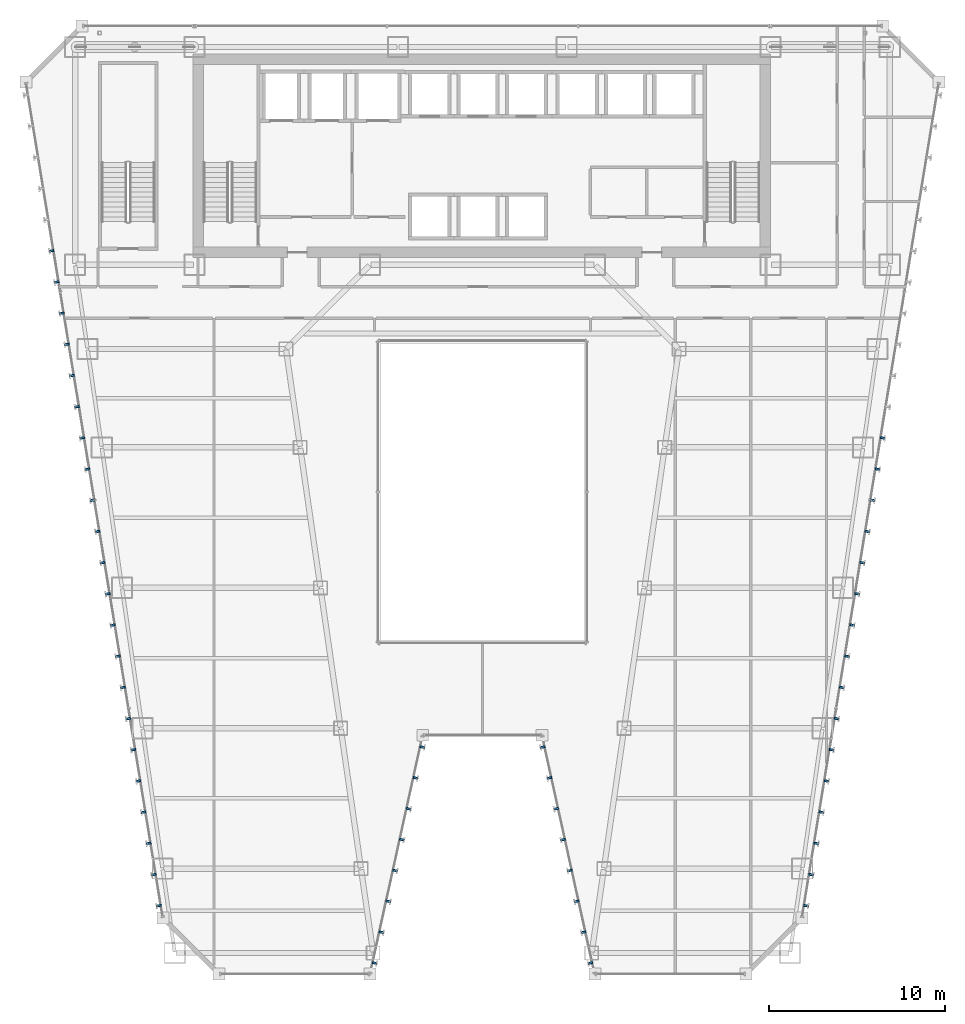
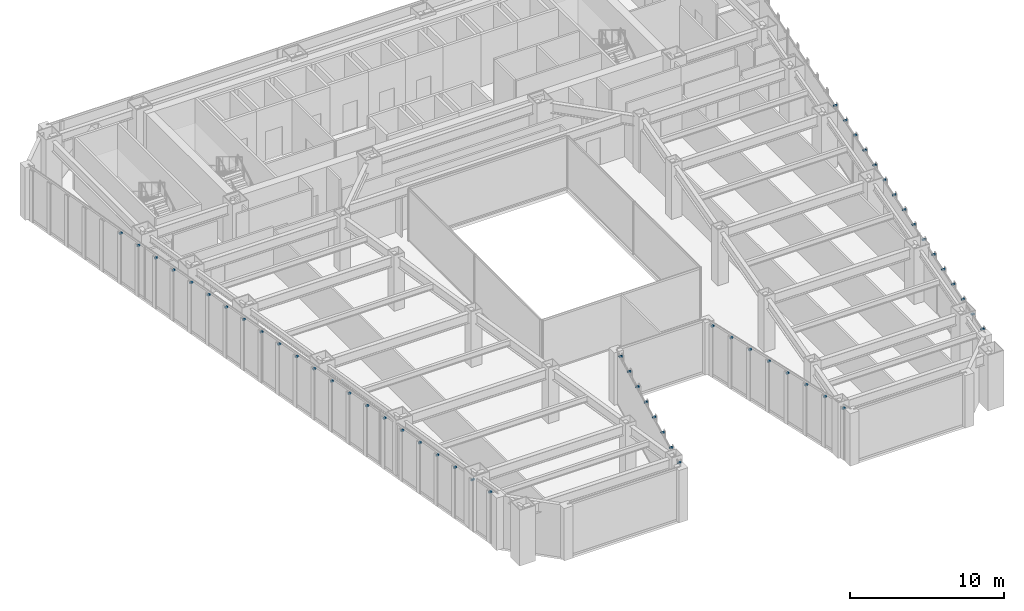
# One storey, part 39 of 47: 54 discrete accessories.
"""IFC4 building model written with IfcOpenShell, lengths in metres."""

from ifc_helpers import new_model, si_unit, direction, frame, origin, origin_2d, place, context, subcontext, project, spatial, rectangle, extrude, material, layer, layer_set, type_object, element, save


model = new_model("IFC4")

# Units and contexts
model_context = context("Model", 3, precision=1e-05, world=origin(), true_north=direction((0.0, 1.0)))
body_context = subcontext(model_context, "Body", "Model", "MODEL_VIEW")
ifc_project = project(units=[si_unit("LENGTHUNIT", "METRE"), si_unit("AREAUNIT", "SQUARE_METRE"), si_unit("VOLUMEUNIT", "CUBIC_METRE"), si_unit("PLANEANGLEUNIT", "RADIAN"), si_unit("MASSUNIT", "GRAM", prefix="KILO")], contexts=[model_context])

# Site, building, storey
site_placement = place(None, origin())
site = spatial("IfcSite", under=ifc_project, at=site_placement, CompositionType="ELEMENT")
building_placement = place(site_placement, origin())
building = spatial("IfcBuilding", under=site, at=building_placement, Name="Saevonmaru Cultural Tower", CompositionType="ELEMENT")
storey_placement = place(building_placement, frame((0.0, 0.0, 60.39990234375)))
storey = spatial("IfcBuildingStorey", under=building, at=storey_placement, Name="L12", CompositionType="ELEMENT", Elevation=60.39990234375)

# Discrete accessories
ifc_material = material(Name="Stainless Steel 316", Category="steel")
ifc_layer = layer(ifc_material, 0.1201171875, Name="Stainless Steel 316")
ifc_layer_set = layer_set([ifc_layer], Name="Stainless Steel 316")
discrete_accessory_type = type_object("IfcDiscreteAccessoryType", Name="ACC-FIN-BRKT", PredefinedType="BRACKET", material=ifc_layer_set)
for number, where, z_axis, x_axis, name in (
    (1, (23.850341796875, 2.624267578125, 3.929931640625), (0.0, 0.0, 1.0), (0.976522126798, -0.215417120661, 0.0), "L12 Bronze Fin Bracket E3-01"),
    (2, (24.238037109375, 4.3818359375, 3.929931640625), (0.0, 0.0, 1.0), (0.976522126798, -0.215417120661, 0.0), "L12 Bronze Fin Bracket E3-02"),
    (3, (24.625732421875, 6.1396484375, 3.929931640625), (0.0, 0.0, 1.0), (0.976522126798, -0.215417120661, 0.0), "L12 Bronze Fin Bracket E3-03"),
    (4, (25.013427734375, 7.8974609375, 3.929931640625), (0.0, 0.0, 1.0), (0.976522126798, -0.215417120661, 0.0), "L12 Bronze Fin Bracket E3-04"),
    (5, (25.4013671875, 9.6552734375, 3.929931640625), (0.0, 0.0, 1.0), (0.976522126798, -0.215417120661, 0.0), "L12 Bronze Fin Bracket E3-05"),
    (6, (25.7890625, 11.412841796875, 3.929931640625), (0.0, 0.0, 1.0), (0.976522126798, -0.215417120661, 0.0), "L12 Bronze Fin Bracket E3-06"),
    (7, (26.1767578125, 13.170654296875, 3.929931640625), (0.0, 0.0, 1.0), (0.976522126798, -0.215417120661, 0.0), "L12 Bronze Fin Bracket E3-07"),
    (8, (26.564453125, 14.928466796875, 3.929931640625), (0.0, 0.0, 1.0), (0.976522126798, -0.215417120661, 0.0), "L12 Bronze Fin Bracket E3-08"),
    (9, (33.435546875, 14.928466796875, 3.929931640625), (0.0, 0.0, 1.0), (-0.976522126798, -0.215417120661, 0.0), "L12 Bronze Fin Bracket E5-01"),
    (10, (33.8232421875, 13.170654296875, 3.929931640625), (0.0, 0.0, 1.0), (-0.976522126798, -0.215417120661, 0.0), "L12 Bronze Fin Bracket E5-02"),
    (11, (34.2109375, 11.412841796875, 3.929931640625), (0.0, 0.0, 1.0), (-0.976522126798, -0.215417120661, 0.0), "L12 Bronze Fin Bracket E5-03"),
    (12, (34.5986328125, 9.6552734375, 3.929931640625), (0.0, 0.0, 1.0), (-0.976522126798, -0.215417120661, 0.0), "L12 Bronze Fin Bracket E5-04"),
    (13, (34.986572265625, 7.8974609375, 3.929931640625), (0.0, 0.0, 1.0), (-0.976522126798, -0.215417120661, 0.0), "L12 Bronze Fin Bracket E5-05"),
    (14, (35.374267578125, 6.1396484375, 3.929931640625), (0.0, 0.0, 1.0), (-0.976522126798, -0.215417120661, 0.0), "L12 Bronze Fin Bracket E5-06"),
    (15, (35.761962890625, 4.3818359375, 3.929931640625), (0.0, 0.0, 1.0), (-0.976522126798, -0.215417120661, 0.0), "L12 Bronze Fin Bracket E5-07"),
    (16, (36.149658203125, 2.624267578125, 3.929931640625), (0.0, 0.0, 1.0), (-0.976522126798, -0.215417120661, 0.0), "L12 Bronze Fin Bracket E5-08"),
    (17, (48.424560546875, 5.89013671875, 3.929931640625), (0.0, 0.0, 1.0), (0.986827496189, -0.161776057456, 0.0), "L12 Bronze Fin Bracket E8-01"),
    (18, (48.715576171875, 7.66650390625, 3.929931640625), (0.0, 0.0, 1.0), (0.986827496189, -0.161776057456, 0.0), "L12 Bronze Fin Bracket E8-02"),
    (19, (49.006591796875, 9.44287109375, 3.929931640625), (0.0, 0.0, 1.0), (0.986827496189, -0.161776057456, 0.0), "L12 Bronze Fin Bracket E8-03"),
    (20, (49.2978515625, 11.218994140625, 3.929931640625), (0.0, 0.0, 1.0), (0.986827496189, -0.161776057456, 0.0), "L12 Bronze Fin Bracket E8-04"),
    (21, (49.5888671875, 12.995361328125, 3.929931640625), (0.0, 0.0, 1.0), (0.986827496189, -0.161776057456, 0.0), "L12 Bronze Fin Bracket E8-05"),
    (22, (49.8798828125, 14.771728515625, 3.929931640625), (0.0, 0.0, 1.0), (0.986827496189, -0.161776057456, 0.0), "L12 Bronze Fin Bracket E8-06"),
    (23, (50.1708984375, 16.548095703125, 3.929931640625), (0.0, 0.0, 1.0), (0.986827496189, -0.161776057456, 0.0), "L12 Bronze Fin Bracket E8-07"),
    (24, (50.462158203125, 18.324462890625, 3.929931640625), (0.0, 0.0, 1.0), (0.986827496189, -0.161776057456, 0.0), "L12 Bronze Fin Bracket E8-08"),
    (25, (50.753173828125, 20.1005859375, 3.929931640625), (0.0, 0.0, 1.0), (0.986827496189, -0.161776057456, 0.0), "L12 Bronze Fin Bracket E8-09"),
    (26, (51.044189453125, 21.876953125, 3.929931640625), (0.0, 0.0, 1.0), (0.986827496189, -0.161776057456, 0.0), "L12 Bronze Fin Bracket E8-10"),
    (27, (51.335205078125, 23.6533203125, 3.929931640625), (0.0, 0.0, 1.0), (0.986827496189, -0.161776057456, 0.0), "L12 Bronze Fin Bracket E8-11"),
    (28, (51.62646484375, 25.4296875, 3.929931640625), (0.0, 0.0, 1.0), (0.986827496189, -0.161776057456, 0.0), "L12 Bronze Fin Bracket E8-12"),
    (29, (51.91748046875, 27.205810546875, 3.929931640625), (0.0, 0.0, 1.0), (0.986827496189, -0.161776057456, 0.0), "L12 Bronze Fin Bracket E8-13"),
    (30, (52.20849609375, 28.982177734375, 3.929931640625), (0.0, 0.0, 1.0), (0.986827496189, -0.161776057456, 0.0), "L12 Bronze Fin Bracket E8-14"),
    (31, (52.49951171875, 30.758544921875, 3.929931640625), (0.0, 0.0, 1.0), (0.986827496189, -0.161776057456, 0.0), "L12 Bronze Fin Bracket E8-15"),
    (32, (52.790771484375, 32.534912109375, 3.929931640625), (0.0, 0.0, 1.0), (0.986827496189, -0.161776057456, 0.0), "L12 Bronze Fin Bracket E8-16"),
    (33, (5.462890625, 43.192626953125, 3.929931640625), (0.0, 0.0, 1.0), (-0.986827496189, -0.161776057456, 0.0), "L12 Bronze Fin Bracket E12-06"),
    (34, (5.75390625, 41.41650390625, 3.929931640625), (0.0, 0.0, 1.0), (-0.986827496189, -0.161776057456, 0.0), "L12 Bronze Fin Bracket E12-07"),
    (35, (6.044921875, 39.64013671875, 3.929931640625), (0.0, 0.0, 1.0), (-0.986827496189, -0.161776057456, 0.0), "L12 Bronze Fin Bracket E12-08"),
    (36, (6.336181640625, 37.86376953125, 3.929931640625), (0.0, 0.0, 1.0), (-0.986827496189, -0.161776057456, 0.0), "L12 Bronze Fin Bracket E12-09"),
    (37, (6.627197265625, 36.08740234375, 3.929931640625), (0.0, 0.0, 1.0), (-0.986827496189, -0.161776057456, 0.0), "L12 Bronze Fin Bracket E12-10"),
    (38, (6.918212890625, 34.31103515625, 3.929931640625), (0.0, 0.0, 1.0), (-0.986827496189, -0.161776057456, 0.0), "L12 Bronze Fin Bracket E12-11"),
    (39, (7.209228515625, 32.534912109375, 3.929931640625), (0.0, 0.0, 1.0), (-0.986827496189, -0.161776057456, 0.0), "L12 Bronze Fin Bracket E12-12"),
    (40, (7.50048828125, 30.758544921875, 3.929931640625), (0.0, 0.0, 1.0), (-0.986827496189, -0.161776057456, 0.0), "L12 Bronze Fin Bracket E12-13"),
    (41, (7.79150390625, 28.982177734375, 3.929931640625), (0.0, 0.0, 1.0), (-0.986827496189, -0.161776057456, 0.0), "L12 Bronze Fin Bracket E12-14"),
    (42, (8.08251953125, 27.205810546875, 3.929931640625), (0.0, 0.0, 1.0), (-0.986827496189, -0.161776057456, 0.0), "L12 Bronze Fin Bracket E12-15"),
    (43, (8.37353515625, 25.4296875, 3.929931640625), (0.0, 0.0, 1.0), (-0.986827496189, -0.161776057456, 0.0), "L12 Bronze Fin Bracket E12-16"),
    (44, (8.664794921875, 23.6533203125, 3.929931640625), (0.0, 0.0, 1.0), (-0.986827496189, -0.161776057456, 0.0), "L12 Bronze Fin Bracket E12-17"),
    (45, (8.955810546875, 21.876953125, 3.929931640625), (0.0, 0.0, 1.0), (-0.986827496189, -0.161776057456, 0.0), "L12 Bronze Fin Bracket E12-18"),
    (46, (9.246826171875, 20.1005859375, 3.929931640625), (0.0, 0.0, 1.0), (-0.986827496189, -0.161776057456, 0.0), "L12 Bronze Fin Bracket E12-19"),
    (47, (9.537841796875, 18.324462890625, 3.929931640625), (0.0, 0.0, 1.0), (-0.986827496189, -0.161776057456, 0.0), "L12 Bronze Fin Bracket E12-20"),
    (48, (9.8291015625, 16.548095703125, 3.929931640625), (0.0, 0.0, 1.0), (-0.986827496189, -0.161776057456, 0.0), "L12 Bronze Fin Bracket E12-21"),
    (49, (10.1201171875, 14.771728515625, 3.929931640625), (0.0, 0.0, 1.0), (-0.986827496189, -0.161776057456, 0.0), "L12 Bronze Fin Bracket E12-22"),
    (50, (10.4111328125, 12.995361328125, 3.929931640625), (0.0, 0.0, 1.0), (-0.986827496189, -0.161776057456, 0.0), "L12 Bronze Fin Bracket E12-23"),
    (51, (10.7021484375, 11.218994140625, 3.929931640625), (0.0, 0.0, 1.0), (-0.986827496189, -0.161776057456, 0.0), "L12 Bronze Fin Bracket E12-24"),
    (52, (10.993408203125, 9.44287109375, 3.929931640625), (0.0, 0.0, 1.0), (-0.986827496189, -0.161776057456, 0.0), "L12 Bronze Fin Bracket E12-25"),
    (53, (11.284423828125, 7.66650390625, 3.929931640625), (0.0, 0.0, 1.0), (-0.986827496189, -0.161776057456, 0.0), "L12 Bronze Fin Bracket E12-26"),
    (54, (11.575439453125, 5.89013671875, 3.929931640625), (0.0, 0.0, 1.0), (-0.986827496189, -0.161776057456, 0.0), "L12 Bronze Fin Bracket E12-27"),
):
    element("IfcDiscreteAccessory", number, at=place(storey_placement, frame(where, z_axis=z_axis, x_axis=x_axis)), inside=storey, type_object=discrete_accessory_type, Name=name, PredefinedType="BRACKET", context=body_context, shape_type="SweptSolid", body=[
        extrude(rectangle(XDim=0.260009765625, YDim=0.1201171875, at=origin_2d()), origin(), (0.0, 0.0, 1.0), 0.1201171875),
    ])

save(model, "model.ifc")
